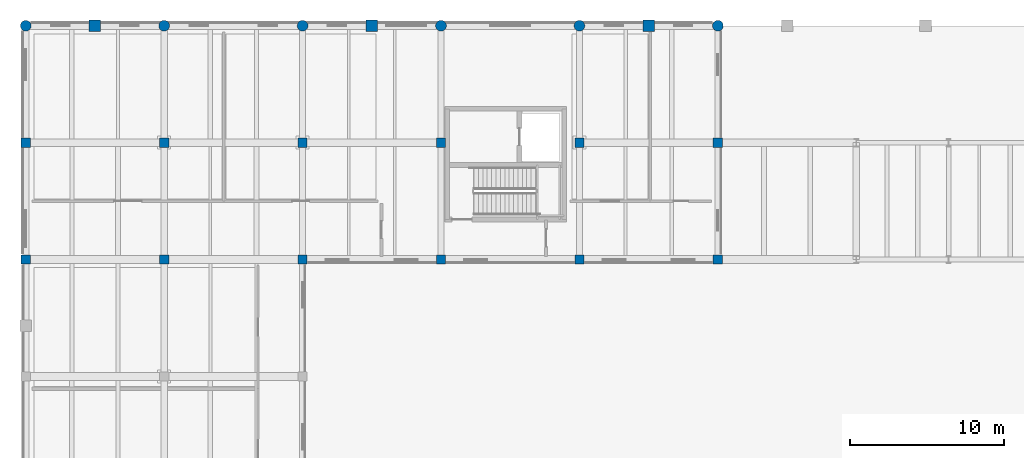
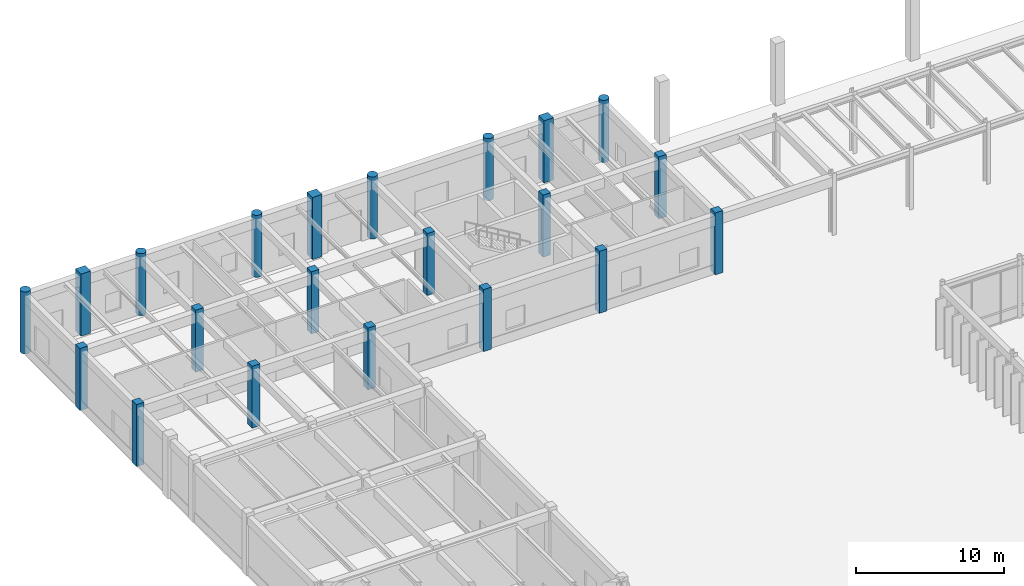
# One storey, part 10 of 64: 21 columns.
"""IFC4 building model written with IfcOpenShell, lengths in metres."""

from ifc_helpers import new_model, si_unit, direction, frame, origin, origin_2d, place, context, subcontext, project, spatial, rectangle, circle, extrude, material, material_profile, profile_set, type_object, element, save


model = new_model("IFC4")

# Units and contexts
model_context = context("Model", 3, precision=1e-05, world=origin(), true_north=direction((0.0, 1.0)))
body_context = subcontext(model_context, "Body", "Model", "MODEL_VIEW")
ifc_project = project(units=[si_unit("LENGTHUNIT", "METRE"), si_unit("AREAUNIT", "SQUARE_METRE"), si_unit("VOLUMEUNIT", "CUBIC_METRE"), si_unit("PLANEANGLEUNIT", "RADIAN"), si_unit("MASSUNIT", "GRAM", prefix="KILO")], contexts=[model_context])

# Site, building, storey
site_placement = place(None, origin())
site = spatial("IfcSite", under=ifc_project, at=site_placement, CompositionType="ELEMENT")
building_placement = place(site_placement, origin())
building = spatial("IfcBuilding", under=site, at=building_placement, Name="Montealbar Specialist Clinic", CompositionType="ELEMENT")
storey_placement = place(building_placement, origin())
storey = spatial("IfcBuildingStorey", under=building, at=storey_placement, Name="L00", CompositionType="ELEMENT", Elevation=0.0)

# Columns
ifc_material_1 = material(Name="Concrete C35/45", Category="concrete")
ifc_material_profile_1 = material_profile(ifc_material_1, circle(Radius=0.35009765625, at=origin_2d()), Name="RC D700", Category="concrete")
ifc_profile_set_1 = profile_set([ifc_material_profile_1], Name="Concrete C35/45")
column_type_1 = type_object("IfcColumnType", Name="COL-COLONNADE-CYL-EXT", PredefinedType="COLUMN", material=ifc_profile_set_1)
for number, where, z_axis, x_axis, name in (
    (1, (0.0, 111.0, 0.0), (0.0, 0.0, 1.0), (1.0, 0.0, 0.0), "Column 1/P L00"),
    (2, (9.0, 111.0, 0.0), (0.0, 0.0, 1.0), (1.0, 0.0, 0.0), "Column 2/P L00"),
    (3, (18.0, 111.0, 0.0), (0.0, 0.0, 1.0), (1.0, 0.0, 0.0), "Column 3/P L00"),
    (4, (27.0, 111.0, 0.0), (0.0, 0.0, 1.0), (1.0, 0.0, 0.0), "Column 4/P L00"),
    (5, (36.0, 111.0, 0.0), (0.0, 0.0, 1.0), (1.0, 0.0, 0.0), "Column 5/P L00"),
    (6, (45.0, 111.0, 0.0), (0.0, 0.0, 1.0), (1.0, 0.0, 0.0), "Column 6/P L00"),
):
    element("IfcColumn", number, at=place(storey_placement, frame(where, z_axis=z_axis, x_axis=x_axis)), inside=storey, type_object=column_type_1, Name=name, PredefinedType="COLUMN", context=body_context, shape_type="SweptSolid", body=[
        extrude(circle(Radius=0.35009765625, at=origin_2d()), origin(), (0.0, 0.0, 1.0), 5.10009765625),
    ])
ifc_material_profile_2 = material_profile(ifc_material_1, rectangle(XDim=0.60009765625, YDim=0.60009765625, at=origin_2d()), Name="RC 600x600", Category="concrete")
ifc_profile_set_2 = profile_set([ifc_material_profile_2], Name="Concrete C35/45")
column_type_2 = type_object("IfcColumnType", Name="COL-RC-L00", PredefinedType="COLUMN", material=ifc_profile_set_2)
for number, where, z_axis, x_axis, name in (
    (7, (9.0, 95.800048828125, 0.0), (0.0, 0.0, 1.0), (1.0, 0.0, 0.0), "Column 2/M L00"),
    (8, (9.0, 103.39990234375, 0.0), (0.0, 0.0, 1.0), (1.0, 0.0, 0.0), "Column 2/N L00"),
    (9, (18.0, 103.39990234375, 0.0), (0.0, 0.0, 1.0), (1.0, 0.0, 0.0), "Column 3/N L00"),
    (10, (27.0, 103.39990234375, 0.0), (0.0, 0.0, 1.0), (1.0, 0.0, 0.0), "Column 4/N L00"),
    (11, (36.0, 103.39990234375, 0.0), (0.0, 0.0, 1.0), (1.0, 0.0, 0.0), "Column 5/N L00"),
):
    element("IfcColumn", number, at=place(storey_placement, frame(where, z_axis=z_axis, x_axis=x_axis)), inside=storey, type_object=column_type_2, Name=name, PredefinedType="COLUMN", context=body_context, shape_type="SweptSolid", body=[
        extrude(rectangle(XDim=0.60009765625, YDim=0.60009765625, at=origin_2d()), origin(), (0.0, 0.0, 1.0), 5.10009765625),
    ])
ifc_material_profile_3 = material_profile(ifc_material_1, rectangle(XDim=0.60009765625, YDim=0.60009765625, at=origin_2d()), Name="RC 600x600", Category="concrete")
ifc_profile_set_3 = profile_set([ifc_material_profile_3], Name="Concrete C35/45")
column_type_3 = type_object("IfcColumnType", Name="COL-RC-L00-EXT", PredefinedType="COLUMN", material=ifc_profile_set_3)
for number, where, z_axis, x_axis, name in (
    (12, (0.0, 95.800048828125, 0.0), (0.0, 0.0, 1.0), (1.0, 0.0, 0.0), "Column 1/M L00"),
    (13, (0.0, 103.39990234375, 0.0), (0.0, 0.0, 1.0), (1.0, 0.0, 0.0), "Column 1/N L00"),
    (14, (18.0, 95.800048828125, 0.0), (0.0, 0.0, 1.0), (1.0, 0.0, 0.0), "Column 3/M L00"),
    (15, (27.0, 95.800048828125, 0.0), (0.0, 0.0, 1.0), (1.0, 0.0, 0.0), "Column 4/M L00"),
    (16, (36.0, 95.800048828125, 0.0), (0.0, 0.0, 1.0), (1.0, 0.0, 0.0), "Column 5/M L00"),
    (17, (45.0, 95.800048828125, 0.0), (0.0, 0.0, 1.0), (1.0, 0.0, 0.0), "Column 6/M L00"),
    (18, (45.0, 103.39990234375, 0.0), (0.0, 0.0, 1.0), (1.0, 0.0, 0.0), "Column 6/N L00"),
):
    element("IfcColumn", number, at=place(storey_placement, frame(where, z_axis=z_axis, x_axis=x_axis)), inside=storey, type_object=column_type_3, Name=name, PredefinedType="COLUMN", context=body_context, shape_type="SweptSolid", body=[
        extrude(rectangle(XDim=0.60009765625, YDim=0.60009765625, at=origin_2d()), origin(), (0.0, 0.0, 1.0), 5.10009765625),
    ])
ifc_material_2 = material(Name="Guadarrama granite ashlar", Category="masonry")
ifc_material_profile_4 = material_profile(ifc_material_2, rectangle(XDim=0.75, YDim=0.75, at=origin_2d()), Name="GRANITE PILASTER 750x750", Category="masonry")
ifc_profile_set_4 = profile_set([ifc_material_profile_4], Name="Guadarrama granite ashlar")
column_type_4 = type_object("IfcColumnType", Name="PIL-PM-GIANT-EXT", PredefinedType="PILASTER", material=ifc_profile_set_4)
for number, where, z_axis, x_axis, name in (
    (19, (4.5, 111.0, 0.0), (0.0, 0.0, 1.0), (1.0, 0.0, 0.0), "Column NP1/P L00"),
    (20, (22.5, 111.0, 0.0), (0.0, 0.0, 1.0), (1.0, 0.0, 0.0), "Column NP2/P L00"),
    (21, (40.5, 111.0, 0.0), (0.0, 0.0, 1.0), (1.0, 0.0, 0.0), "Column NP3/P L00"),
):
    element("IfcColumn", number, at=place(storey_placement, frame(where, z_axis=z_axis, x_axis=x_axis)), inside=storey, type_object=column_type_4, Name=name, PredefinedType="PILASTER", context=body_context, shape_type="SweptSolid", body=[
        extrude(rectangle(XDim=0.75, YDim=0.75, at=origin_2d()), origin(), (0.0, 0.0, 1.0), 5.10009765625),
    ])

save(model, "model.ifc")
